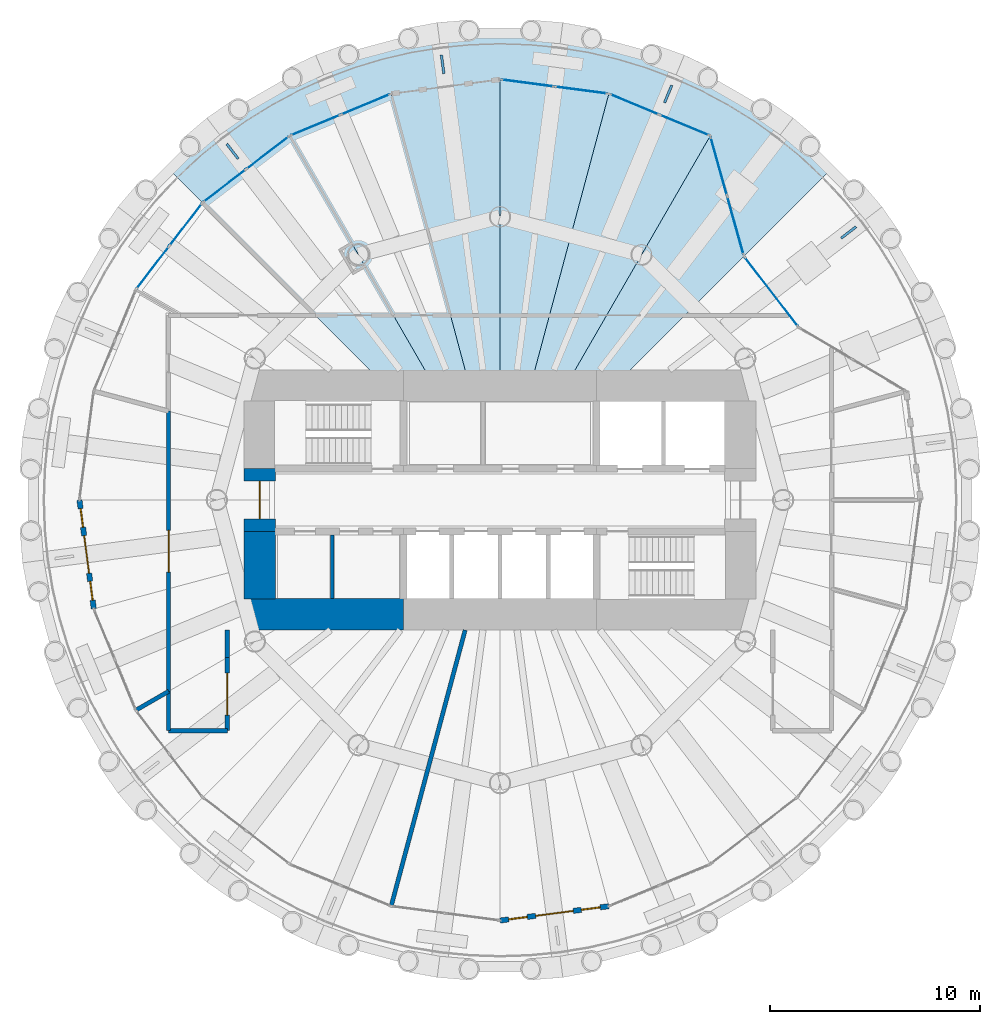
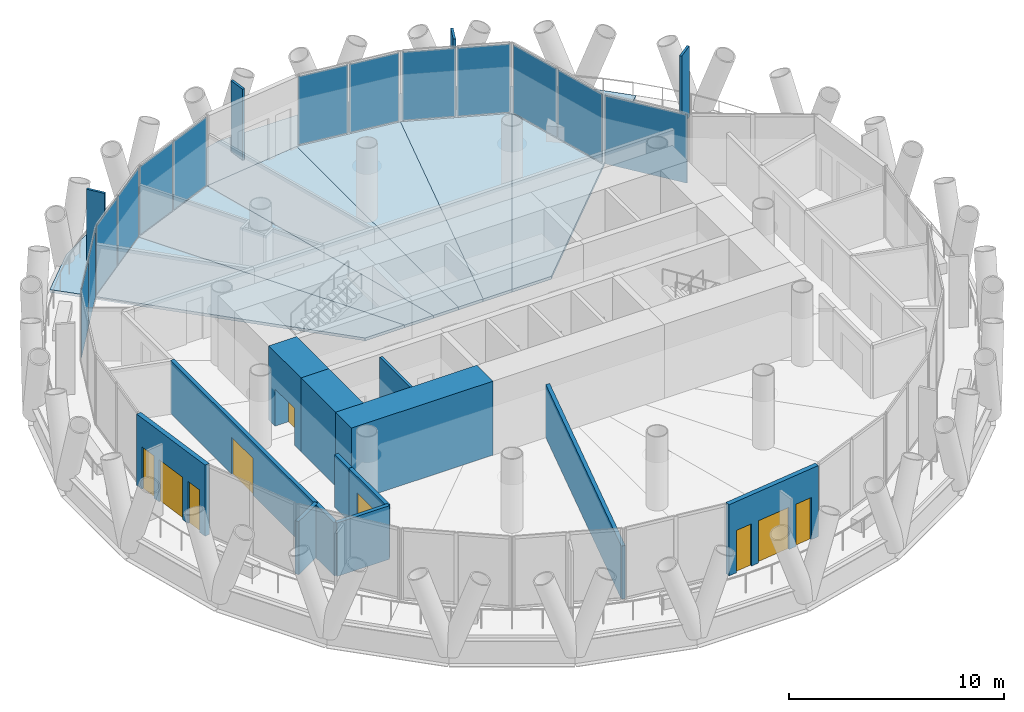
# One storey, part 8 of 14: 17 plates, 13 walls, 7 slabs, 5 doors, 4 windows, 9 openings, 7 elements without a shape of their own.
"""IFC4 building model written with IfcOpenShell, lengths in metres."""

from ifc_helpers import new_model, si_unit, direction, frame, frame_2d, origin, origin_2d, place, context, subcontext, project, spatial, polyline, rectangle, outline, extrude, material, layer, layer_set, type_object, element, fill, aggregate, save


model = new_model("IFC4")

# Units and contexts
model_context = context("Model", 3, precision=1e-05, world=origin(), true_north=direction((0.0, 1.0)))
body_context = subcontext(model_context, "Body", "Model", "MODEL_VIEW")
ifc_project = project(units=[si_unit("LENGTHUNIT", "METRE"), si_unit("AREAUNIT", "SQUARE_METRE"), si_unit("VOLUMEUNIT", "CUBIC_METRE"), si_unit("PLANEANGLEUNIT", "RADIAN"), si_unit("MASSUNIT", "GRAM", prefix="KILO")], contexts=[model_context])

# Site, building, storey
site_placement = place(None, origin())
site = spatial("IfcSite", under=ifc_project, at=site_placement, CompositionType="ELEMENT")
building_placement = place(site_placement, origin())
building = spatial("IfcBuilding", under=site, at=building_placement, Name="Qaws Media Tower", CompositionType="ELEMENT")
storey_placement = place(building_placement, frame((0.0, 0.0, 236.0)))
storey = spatial("IfcBuildingStorey", under=building, at=storey_placement, Name="L54", CompositionType="ELEMENT", Elevation=236.0)

# Slabs
ifc_material_1 = material(Name="Concrete C35/45", Category="concrete")
ifc_layer_1 = layer(ifc_material_1, 0.159912109375)
ifc_layer_set_1 = layer_set([ifc_layer_1], Name="Composite balcony slab 160")
slab_type_1 = type_object("IfcSlabType", Name="Composite balcony slab 160", PredefinedType="FLOOR", material=ifc_layer_set_1)
slab_1_placement = place(storey_placement, frame((0.0, 0.0, -0.159912109375)))
element("IfcSlab", 1, at=slab_1_placement, inside=storey, type_object=slab_type_1, Name="S2 balcony slab L54 R04 to R10, movement joints on R04 and R10", PredefinedType="FLOOR", context=body_context, shape_type="SweptSolid", body=[
    extrude(outline(polyline([(46.333251953125, 67.810791015625), (51.40869140625, 70.7412109375), (57.069580078125, 72.2578125), (62.930419921875, 72.2578125), (68.59130859375, 70.7412109375), (73.666748046875, 67.810791015625), (75.73876953125, 65.73876953125), (71.6318359375, 61.6318359375), (70.02490234375, 67.36376953125), (65.189208984375, 69.36669921875), (60.0, 70.050048828125), (54.810791015625, 69.36669921875), (49.97509765625, 67.36376953125), (45.822509765625, 64.177490234375), (44.26123046875, 65.73876953125), (46.333251953125, 67.810791015625)])), origin(), (0.0, 0.0, 1.0), 0.159912109375),
])
ifc_material_2 = material(Name="Concrete C35/45", Category="concrete")
ifc_layer_2 = layer(ifc_material_2, 0.159912109375)
ifc_layer_set_2 = layer_set([ifc_layer_2], Name="Composite floor slab 160")
slab_type_2 = type_object("IfcSlabType", Name="Composite floor slab 160", PredefinedType="FLOOR", material=ifc_layer_set_2)
slab_2_placement = place(storey_placement, frame((0.0, 0.0, -0.159912109375)))
element("IfcSlab", 2, at=slab_2_placement, inside=storey, type_object=slab_type_2, Name="S1 floor panel L54 on R04+7.5", PredefinedType="FLOOR", context=body_context, shape_type="SweptSolid", body=[
    extrude(outline(polyline([(70.02490234375, 67.36376953125), (71.6318359375, 61.6318359375), (65.0, 55.0), (62.88671875, 55.0), (70.02490234375, 67.36376953125)])), origin(), (0.0, 0.0, 1.0), 0.159912109375),
])
slab_3_placement = place(storey_placement, frame((0.0, 0.0, -0.159912109375)))
element("IfcSlab", 3, at=slab_3_placement, inside=storey, type_object=slab_type_2, Name="S1 floor panel L54 on R05+7.5", PredefinedType="FLOOR", context=body_context, shape_type="SweptSolid", body=[
    extrude(outline(polyline([(70.02490234375, 67.36376953125), (62.88671875, 55.0), (61.339599609375, 55.0), (65.189208984375, 69.36669921875), (70.02490234375, 67.36376953125)])), origin(), (0.0, 0.0, 1.0), 0.159912109375),
])
slab_4_placement = place(storey_placement, frame((0.0, 0.0, -0.159912109375)))
element("IfcSlab", 4, at=slab_4_placement, inside=storey, type_object=slab_type_2, Name="S1 floor panel L54 on R06+7.5", PredefinedType="FLOOR", context=body_context, shape_type="SweptSolid", body=[
    extrude(outline(polyline([(65.189208984375, 69.36669921875), (61.339599609375, 55.0), (60.0, 55.0), (60.0, 70.050048828125), (65.189208984375, 69.36669921875)])), origin(), (0.0, 0.0, 1.0), 0.159912109375),
])
slab_5_placement = place(storey_placement, frame((0.0, 0.0, -0.159912109375)))
element("IfcSlab", 5, at=slab_5_placement, inside=storey, type_object=slab_type_2, Name="S1 floor panel L54 on R07+7.5", PredefinedType="FLOOR", context=body_context, shape_type="SweptSolid", body=[
    extrude(outline(polyline([(54.810791015625, 69.36669921875), (60.0, 70.050048828125), (60.0, 55.0), (58.660400390625, 55.0), (54.810791015625, 69.36669921875)])), origin(), (0.0, 0.0, 1.0), 0.159912109375),
])
slab_6_placement = place(storey_placement, frame((0.0, 0.0, -0.159912109375)))
element("IfcSlab", 6, at=slab_6_placement, inside=storey, type_object=slab_type_2, Name="S1 floor panel L54 on R08+7.5", PredefinedType="FLOOR", context=body_context, shape_type="SweptSolid", body=[
    extrude(outline(polyline([(54.810791015625, 69.36669921875), (58.660400390625, 55.0), (57.11328125, 55.0), (49.97509765625, 67.36376953125), (54.810791015625, 69.36669921875)])), origin(), (0.0, 0.0, 1.0), 0.159912109375),
])
slab_7_placement = place(storey_placement, frame((0.0, 0.0, -0.159912109375)))
element("IfcSlab", 7, at=slab_7_placement, inside=storey, type_object=slab_type_2, Name="S1 floor panel L54 on R09+7.5", PredefinedType="FLOOR", context=body_context, shape_type="SweptSolid", body=[
    extrude(outline(polyline([(45.822509765625, 64.177490234375), (49.97509765625, 67.36376953125), (57.11328125, 55.0), (55.0, 55.0), (45.822509765625, 64.177490234375)])), origin(), (0.0, 0.0, 1.0), 0.159912109375),
])

# Curtain wall, plate
ifc_material_3 = material(Name="Aluminium and clear glass", Category="aluminium")
curtain_wall_type_1 = type_object("IfcCurtainWallType", Name="Loggia curtain wall CW-G", PredefinedType="NOTDEFINED", material=ifc_material_3)
curtain_wall_1_placement = place(storey_placement, origin())
curtain_wall_1 = element("IfcCurtainWall", 8, at=curtain_wall_1_placement, inside=storey, type_object=curtain_wall_type_1, Name="CWG curtain wall L54-03", PredefinedType="NOTDEFINED")
ifc_material_4 = material(Name="Clear laminated double glazing", Category="glass")
ifc_layer_3 = layer(ifc_material_4, 0.031982421875)
ifc_layer_set_3 = layer_set([ifc_layer_3], Name="Curtain wall glass unit 32")
plate_type_1 = type_object("IfcPlateType", Name="Curtain wall glass unit 32", PredefinedType="CURTAIN_PANEL", material=ifc_layer_set_3)
plate_1_placement = place(storey_placement, frame((72.93896484375, 59.928466796875, 0.080078125), z_axis=(0.0, 0.0, 1.0), x_axis=(-0.608761328371, 0.793353417513, 0.0)))
plate_1 = element("IfcPlate", 9, at=plate_1_placement, type_object=plate_type_1, Name="CWG panel 1.1", PredefinedType="CURTAIN_PANEL", context=body_context, shape_type="SweptSolid", body=[
    extrude(rectangle(XDim=4.13427734375, YDim=0.031982421875, at=origin_2d()), origin(), (0.0, 0.0, 1.0), 3.8798828125),
])
aggregate(curtain_wall_1, [plate_1])

# Curtain wall, plates
curtain_wall_2_placement = place(storey_placement, origin())
curtain_wall_2 = element("IfcCurtainWall", 10, at=curtain_wall_2_placement, inside=storey, type_object=curtain_wall_type_1, Name="CWG curtain wall L54-04", PredefinedType="NOTDEFINED")
plate_2_placement = place(storey_placement, frame((71.224853515625, 63.084228515625, 0.080078125), z_axis=(0.0, 0.0, 1.0), x_axis=(-0.269937476483, 0.962877852476, 0.0)))
plate_2 = element("IfcPlate", 11, at=plate_2_placement, type_object=plate_type_1, Name="CWG panel 1.1", PredefinedType="CURTAIN_PANEL", context=body_context, shape_type="SweptSolid", body=[
    extrude(rectangle(XDim=2.8564453125, YDim=0.031982421875, at=origin_2d()), origin(), (0.0, 0.0, 1.0), 3.8798828125),
])
plate_3_placement = place(storey_placement, frame((70.43212890625, 65.91162109375, 0.080078125), z_axis=(0.0, 0.0, 1.0), x_axis=(-0.269937476483, 0.962877852476, 0.0)))
plate_3 = element("IfcPlate", 12, at=plate_3_placement, type_object=plate_type_1, Name="CWG panel 2.1", PredefinedType="CURTAIN_PANEL", context=body_context, shape_type="SweptSolid", body=[
    extrude(rectangle(XDim=2.8564453125, YDim=0.031982421875, at=origin_2d()), origin(), (0.0, 0.0, 1.0), 3.8798828125),
])
aggregate(curtain_wall_2, [plate_2, plate_3])

ifc_material_5 = material(Name="Aluminium and clear glass", Category="aluminium")
curtain_wall_type_2 = type_object("IfcCurtainWallType", Name="Unitised curtain wall CW-C", PredefinedType="NOTDEFINED", material=ifc_material_5)
curtain_wall_3_placement = place(storey_placement, origin())
curtain_wall_3 = element("IfcCurtainWall", 13, at=curtain_wall_3_placement, inside=storey, type_object=curtain_wall_type_2, Name="CWC curtain wall L54-05", PredefinedType="NOTDEFINED")
plate_4_placement = place(storey_placement, frame((68.797607421875, 67.872314453125, 0.080078125), z_axis=(0.0, 0.0, 1.0), x_axis=(-0.923879492717, 0.382683528436, 0.0)))
plate_4 = element("IfcPlate", 14, at=plate_4_placement, type_object=plate_type_1, Name="CWC panel 1.1", PredefinedType="CURTAIN_PANEL", context=body_context, shape_type="SweptSolid", body=[
    extrude(rectangle(XDim=2.4970703125, YDim=0.031982421875, at=origin_2d()), origin(), (0.0, 0.0, 1.0), 3.8798828125),
])
plate_5_placement = place(storey_placement, frame((66.416748046875, 68.8583984375, 0.080078125), z_axis=(0.0, 0.0, 1.0), x_axis=(-0.923879492717, 0.382683528436, 0.0)))
plate_5 = element("IfcPlate", 15, at=plate_5_placement, type_object=plate_type_1, Name="CWC panel 2.1", PredefinedType="CURTAIN_PANEL", context=body_context, shape_type="SweptSolid", body=[
    extrude(rectangle(XDim=2.4970703125, YDim=0.031982421875, at=origin_2d()), origin(), (0.0, 0.0, 1.0), 3.8798828125),
])
aggregate(curtain_wall_3, [plate_4, plate_5])

curtain_wall_4_placement = place(storey_placement, origin())
curtain_wall_4 = element("IfcCurtainWall", 16, at=curtain_wall_4_placement, inside=storey, type_object=curtain_wall_type_2, Name="CWC curtain wall L54-06", PredefinedType="NOTDEFINED")
plate_6_placement = place(storey_placement, frame((63.8720703125, 69.540283203125, 0.080078125), z_axis=(0.0, 0.0, 1.0), x_axis=(-0.99144486637, 0.130526154272, 0.0)))
plate_6 = element("IfcPlate", 17, at=plate_6_placement, type_object=plate_type_1, Name="CWC panel 1.1", PredefinedType="CURTAIN_PANEL", context=body_context, shape_type="SweptSolid", body=[
    extrude(rectangle(XDim=2.4970703125, YDim=0.031982421875, at=origin_2d()), origin(), (0.0, 0.0, 1.0), 3.8798828125),
])
plate_7_placement = place(storey_placement, frame((61.317138671875, 69.876708984375, 0.080078125), z_axis=(0.0, 0.0, 1.0), x_axis=(-0.99144486637, 0.130526154272, 0.0)))
plate_7 = element("IfcPlate", 18, at=plate_7_placement, type_object=plate_type_1, Name="CWC panel 2.1", PredefinedType="CURTAIN_PANEL", context=body_context, shape_type="SweptSolid", body=[
    extrude(rectangle(XDim=2.4970703125, YDim=0.031982421875, at=origin_2d()), origin(), (0.0, 0.0, 1.0), 3.8798828125),
])
aggregate(curtain_wall_4, [plate_6, plate_7])

curtain_wall_5_placement = place(storey_placement, origin())
curtain_wall_5 = element("IfcCurtainWall", 19, at=curtain_wall_5_placement, inside=storey, type_object=curtain_wall_type_2, Name="CWC curtain wall L54-08", PredefinedType="NOTDEFINED")
plate_8_placement = place(storey_placement, frame((53.583251953125, 68.8583984375, 0.080078125), z_axis=(0.0, 0.0, 1.0), x_axis=(-0.923879492717, -0.382683528436, 0.0)))
plate_8 = element("IfcPlate", 20, at=plate_8_placement, type_object=plate_type_1, Name="CWC panel 1.1", PredefinedType="CURTAIN_PANEL", context=body_context, shape_type="SweptSolid", body=[
    extrude(rectangle(XDim=2.4970703125, YDim=0.031982421875, at=origin_2d()), origin(), (0.0, 0.0, 1.0), 3.8798828125),
])
plate_9_placement = place(storey_placement, frame((51.202392578125, 67.872314453125, 0.080078125), z_axis=(0.0, 0.0, 1.0), x_axis=(-0.923879492717, -0.382683528436, 0.0)))
plate_9 = element("IfcPlate", 21, at=plate_9_placement, type_object=plate_type_1, Name="CWC panel 2.1", PredefinedType="CURTAIN_PANEL", context=body_context, shape_type="SweptSolid", body=[
    extrude(rectangle(XDim=2.4970703125, YDim=0.031982421875, at=origin_2d()), origin(), (0.0, 0.0, 1.0), 3.8798828125),
])
aggregate(curtain_wall_5, [plate_8, plate_9])

curtain_wall_6_placement = place(storey_placement, origin())
curtain_wall_6 = element("IfcCurtainWall", 22, at=curtain_wall_6_placement, inside=storey, type_object=curtain_wall_type_2, Name="CWC curtain wall L54-09", PredefinedType="NOTDEFINED")
plate_10_placement = place(storey_placement, frame((48.9208984375, 66.55517578125, 0.080078125), z_axis=(0.0, 0.0, 1.0), x_axis=(-0.793353378275, -0.608761379507, 0.0)))
plate_10 = element("IfcPlate", 23, at=plate_10_placement, type_object=plate_type_1, Name="CWC panel 1.1", PredefinedType="CURTAIN_PANEL", context=body_context, shape_type="SweptSolid", body=[
    extrude(rectangle(XDim=2.4970703125, YDim=0.031982421875, at=origin_2d()), origin(), (0.0, 0.0, 1.0), 3.8798828125),
])
plate_11_placement = place(storey_placement, frame((46.87646484375, 64.986328125, 0.080078125), z_axis=(0.0, 0.0, 1.0), x_axis=(-0.793353378275, -0.608761379507, 0.0)))
plate_11 = element("IfcPlate", 24, at=plate_11_placement, type_object=plate_type_1, Name="CWC panel 2.1", PredefinedType="CURTAIN_PANEL", context=body_context, shape_type="SweptSolid", body=[
    extrude(rectangle(XDim=2.4970703125, YDim=0.031982421875, at=origin_2d()), origin(), (0.0, 0.0, 1.0), 3.8798828125),
])
aggregate(curtain_wall_6, [plate_10, plate_11])

curtain_wall_7_placement = place(storey_placement, origin())
curtain_wall_7 = element("IfcCurtainWall", 25, at=curtain_wall_7_placement, inside=storey, type_object=curtain_wall_type_2, Name="CWC curtain wall L54-10", PredefinedType="NOTDEFINED")
plate_12_placement = place(storey_placement, frame((45.013671875, 63.12353515625, 0.080078125), z_axis=(0.0, 0.0, 1.0), x_axis=(-0.608761379507, -0.793353378275, 0.0)))
plate_12 = element("IfcPlate", 26, at=plate_12_placement, type_object=plate_type_1, Name="CWC panel 1.1", PredefinedType="CURTAIN_PANEL", context=body_context, shape_type="SweptSolid", body=[
    extrude(rectangle(XDim=2.4970703125, YDim=0.031982421875, at=origin_2d()), origin(), (0.0, 0.0, 1.0), 3.8798828125),
])
plate_13_placement = place(storey_placement, frame((43.44482421875, 61.0791015625, 0.080078125), z_axis=(0.0, 0.0, 1.0), x_axis=(-0.608761379507, -0.793353378275, 0.0)))
plate_13 = element("IfcPlate", 27, at=plate_13_placement, type_object=plate_type_1, Name="CWC panel 2.1", PredefinedType="CURTAIN_PANEL", context=body_context, shape_type="SweptSolid", body=[
    extrude(rectangle(XDim=2.4970703125, YDim=0.031982421875, at=origin_2d()), origin(), (0.0, 0.0, 1.0), 3.8798828125),
])
aggregate(curtain_wall_7, [plate_12, plate_13])

# Plates
ifc_material_6 = material(Name="Precast concrete screen fin", Category="concrete")
ifc_layer_4 = layer(ifc_material_6, 0.1201171875)
ifc_layer_set_4 = layer_set([ifc_layer_4], Name="Screen fin 120x900")
plate_type_2 = type_object("IfcPlateType", Name="Screen fin 120x900", PredefinedType="USERDEFINED", material=ifc_layer_set_4)
for number, where, z_axis, x_axis, name in (
    (28, (76.620849609375, 62.753662109375, 0.0), (0.0, 0.0, 1.0), (0.793353340291, 0.608761429009, 0.0), "SCR1 screen fin L54-02"),
    (29, (68.017333984375, 69.355224609375, 0.0), (0.0, 0.0, 1.0), (0.382683432365, 0.923879532511, 0.0), "SCR1 screen fin L54-03"),
    (30, (57.265380859375, 70.770751953125, 0.0), (0.0, 0.0, 1.0), (-0.13052619222, 0.991444861374, 0.0), "SCR1 screen fin L54-04"),
    (31, (47.246337890625, 66.620849609375, 0.0), (0.0, 0.0, 1.0), (-0.608761429009, 0.793353340291, 0.0), "SCR1 screen fin L54-05"),
):
    element("IfcPlate", number, at=place(storey_placement, frame(where, z_axis=z_axis, x_axis=x_axis)), inside=storey, type_object=plate_type_2, Name=name, ObjectType="SCREEN", PredefinedType="USERDEFINED", context=body_context, shape_type="SweptSolid", body=[
        extrude(rectangle(XDim=0.89990234375, YDim=0.1201171875, at=origin_2d()), origin(), (0.0, 0.0, 1.0), 4.0400390625),
    ])

# Wall, openings, door, windows
ifc_material_7 = material(Name="Precast concrete, exposed finish", Category="concrete")
ifc_layer_5 = layer(ifc_material_7, 0.25)
ifc_layer_set_5 = layer_set([ifc_layer_5], Name="Balcony door wall 250")
wall_type_1 = type_object("IfcWallType", Name="Balcony door wall 250", PredefinedType="SOLIDWALL", material=ifc_layer_set_5)
wall_1_placement = place(storey_placement, frame((39.949951171875, 50.0, 0.0), z_axis=(0.0, 0.0, 1.0), x_axis=(0.130559487011, -0.991440477463, 0.0)))
wall_1 = element("IfcWall", 32, at=wall_1_placement, inside=storey, type_object=wall_type_1, Name="W252 EW1 balcony door wall L54-13", PredefinedType="SOLIDWALL", context=body_context, shape_type="SweptSolid", body=[
    extrude(rectangle(XDim=5.234130859375, YDim=0.25, at=frame_2d((2.6171875, 0.0))), origin(), (0.0, 0.0, 1.0), 4.0400390625),
])
opening_1_placement = place(wall_1_placement, frame((1.717041015625, 0.0, 0.0)))
opening_1 = element("IfcOpeningElement", 33, at=opening_1_placement, cuts=wall_1, Name="Opening D7", PredefinedType="OPENING", context=body_context, shape_type="SweptSolid", body=[
    extrude(rectangle(XDim=1.800048828125, YDim=2.39990234375, at=frame_2d((0.89990234375, 1.199951171875))), frame((0.0, 0.135009765625, 0.0), z_axis=(0.0, -1.0, 0.0), x_axis=(1.0, 0.0, 0.0)), (0.0, 0.0, 1.0), 0.27001953125),
])
opening_2_placement = place(wall_1_placement, frame((0.4169921875, 0.0, 0.0)))
opening_2 = element("IfcOpeningElement", 34, at=opening_2_placement, cuts=wall_1, Name="Opening W7", PredefinedType="OPENING", context=body_context, shape_type="SweptSolid", body=[
    extrude(rectangle(XDim=0.89990234375, YDim=2.39990234375, at=frame_2d((0.449951171875, 1.199951171875))), frame((0.0, 0.135009765625, 0.0), z_axis=(0.0, -1.0, 0.0), x_axis=(1.0, 0.0, 0.0)), (0.0, 0.0, 1.0), 0.27001953125),
])
opening_3_placement = place(wall_1_placement, frame((3.9169921875, 0.0, 0.0)))
opening_3 = element("IfcOpeningElement", 35, at=opening_3_placement, cuts=wall_1, Name="Opening W7", PredefinedType="OPENING", context=body_context, shape_type="SweptSolid", body=[
    extrude(rectangle(XDim=0.89990234375, YDim=2.39990234375, at=frame_2d((0.449951171875, 1.199951171875))), frame((0.0, 0.135009765625, 0.0), z_axis=(0.0, -1.0, 0.0), x_axis=(1.0, 0.0, 0.0)), (0.0, 0.0, 1.0), 0.27001953125),
])
ifc_material_8 = material(Name="Aluminium and clear glass", Category="aluminium")
door_type_1 = type_object("IfcDoorType", Name="Balcony door pair 1800", OperationType="DOUBLE_DOOR_SLIDING", PredefinedType="DOOR", material=ifc_material_8)
door_1_placement = place(opening_1_placement, origin())
door_1 = element("IfcDoor", 36, at=door_1_placement, inside=storey, type_object=door_type_1, Name="D7 balcony door L54-13 in wall W252", OperationType="DOUBLE_DOOR_SLIDING", OverallHeight=2.39990234375, OverallWidth=1.800048828125, PredefinedType="DOOR", context=body_context, shape_type="SweptSolid", body=[
    extrude(rectangle(XDim=1.800048828125, YDim=2.39990234375, at=frame_2d((0.89990234375, 1.199951171875))), frame((0.0, 0.02490234375, 0.0), z_axis=(0.0, -1.0, 0.0), x_axis=(1.0, 0.0, 0.0)), (0.0, 0.0, 1.0), 0.050048828125),
])
fill(opening_1, door_1)
ifc_material_9 = material(Name="Aluminium and clear glass", Category="aluminium")
window_type = type_object("IfcWindowType", Name="Balcony side window 900", PartitioningType="SINGLE_PANEL", PredefinedType="WINDOW", material=ifc_material_9)
window_1_placement = place(opening_2_placement, origin())
window_1 = element("IfcWindow", 37, at=window_1_placement, inside=storey, type_object=window_type, Name="W1 balcony side light L54-13L", OverallHeight=2.39990234375, OverallWidth=0.89990234375, PartitioningType="SINGLE_PANEL", PredefinedType="WINDOW", context=body_context, shape_type="SweptSolid", body=[
    extrude(rectangle(XDim=0.89990234375, YDim=2.39990234375, at=frame_2d((0.449951171875, 1.199951171875))), frame((0.0, 0.030029296875, 0.0), z_axis=(0.0, -1.0, 0.0), x_axis=(1.0, 0.0, 0.0)), (0.0, 0.0, 1.0), 0.06005859375),
])
fill(opening_2, window_1)
window_2_placement = place(opening_3_placement, origin())
window_2 = element("IfcWindow", 38, at=window_2_placement, inside=storey, type_object=window_type, Name="W1 balcony side light L54-13R", OverallHeight=2.39990234375, OverallWidth=0.89990234375, PartitioningType="SINGLE_PANEL", PredefinedType="WINDOW", context=body_context, shape_type="SweptSolid", body=[
    extrude(rectangle(XDim=0.89990234375, YDim=2.39990234375, at=frame_2d((0.449951171875, 1.199951171875))), frame((0.0, 0.030029296875, 0.0), z_axis=(0.0, -1.0, 0.0), x_axis=(1.0, 0.0, 0.0)), (0.0, 0.0, 1.0), 0.06005859375),
])
fill(opening_3, window_2)

wall_2_placement = place(storey_placement, frame((60.0, 29.949951171875, 0.0), z_axis=(0.0, 0.0, 1.0), x_axis=(0.991440477463, 0.130559487011, 0.0)))
wall_2 = element("IfcWall", 39, at=wall_2_placement, inside=storey, type_object=wall_type_1, Name="W253 EW1 balcony door wall L54-19", PredefinedType="SOLIDWALL", context=body_context, shape_type="SweptSolid", body=[
    extrude(rectangle(XDim=5.234130859375, YDim=0.25, at=frame_2d((2.6171875, 0.0))), origin(), (0.0, 0.0, 1.0), 4.0400390625),
])
opening_4_placement = place(wall_2_placement, frame((1.717041015625, 0.0, 0.0)))
opening_4 = element("IfcOpeningElement", 40, at=opening_4_placement, cuts=wall_2, Name="Opening D7", PredefinedType="OPENING", context=body_context, shape_type="SweptSolid", body=[
    extrude(rectangle(XDim=1.800048828125, YDim=2.39990234375, at=frame_2d((0.89990234375, 1.199951171875))), frame((0.0, 0.135009765625, 0.0), z_axis=(0.0, -1.0, 0.0), x_axis=(1.0, 0.0, 0.0)), (0.0, 0.0, 1.0), 0.27001953125),
])
opening_5_placement = place(wall_2_placement, frame((0.4169921875, 0.0, 0.0)))
opening_5 = element("IfcOpeningElement", 41, at=opening_5_placement, cuts=wall_2, Name="Opening W7", PredefinedType="OPENING", context=body_context, shape_type="SweptSolid", body=[
    extrude(rectangle(XDim=0.89990234375, YDim=2.39990234375, at=frame_2d((0.449951171875, 1.199951171875))), frame((0.0, 0.135009765625, 0.0), z_axis=(0.0, -1.0, 0.0), x_axis=(1.0, 0.0, 0.0)), (0.0, 0.0, 1.0), 0.27001953125),
])
opening_6_placement = place(wall_2_placement, frame((3.9169921875, 0.0, 0.0)))
opening_6 = element("IfcOpeningElement", 42, at=opening_6_placement, cuts=wall_2, Name="Opening W7", PredefinedType="OPENING", context=body_context, shape_type="SweptSolid", body=[
    extrude(rectangle(XDim=0.89990234375, YDim=2.39990234375, at=frame_2d((0.449951171875, 1.199951171875))), frame((0.0, 0.135009765625, 0.0), z_axis=(0.0, -1.0, 0.0), x_axis=(1.0, 0.0, 0.0)), (0.0, 0.0, 1.0), 0.27001953125),
])
door_2_placement = place(opening_4_placement, origin())
door_2 = element("IfcDoor", 43, at=door_2_placement, inside=storey, type_object=door_type_1, Name="D7 balcony door L54-19 in wall W253", OperationType="DOUBLE_DOOR_SLIDING", OverallHeight=2.39990234375, OverallWidth=1.800048828125, PredefinedType="DOOR", context=body_context, shape_type="SweptSolid", body=[
    extrude(rectangle(XDim=1.800048828125, YDim=2.39990234375, at=frame_2d((0.89990234375, 1.199951171875))), frame((0.0, 0.02490234375, 0.0), z_axis=(0.0, -1.0, 0.0), x_axis=(1.0, 0.0, 0.0)), (0.0, 0.0, 1.0), 0.050048828125),
])
fill(opening_4, door_2)
window_3_placement = place(opening_5_placement, origin())
window_3 = element("IfcWindow", 44, at=window_3_placement, inside=storey, type_object=window_type, Name="W1 balcony side light L54-19L", OverallHeight=2.39990234375, OverallWidth=0.89990234375, PartitioningType="SINGLE_PANEL", PredefinedType="WINDOW", context=body_context, shape_type="SweptSolid", body=[
    extrude(rectangle(XDim=0.89990234375, YDim=2.39990234375, at=frame_2d((0.449951171875, 1.199951171875))), frame((0.0, 0.030029296875, 0.0), z_axis=(0.0, -1.0, 0.0), x_axis=(1.0, 0.0, 0.0)), (0.0, 0.0, 1.0), 0.06005859375),
])
fill(opening_5, window_3)
window_4_placement = place(opening_6_placement, origin())
window_4 = element("IfcWindow", 45, at=window_4_placement, inside=storey, type_object=window_type, Name="W1 balcony side light L54-19R", OverallHeight=2.39990234375, OverallWidth=0.89990234375, PartitioningType="SINGLE_PANEL", PredefinedType="WINDOW", context=body_context, shape_type="SweptSolid", body=[
    extrude(rectangle(XDim=0.89990234375, YDim=2.39990234375, at=frame_2d((0.449951171875, 1.199951171875))), frame((0.0, 0.030029296875, 0.0), z_axis=(0.0, -1.0, 0.0), x_axis=(1.0, 0.0, 0.0)), (0.0, 0.0, 1.0), 0.06005859375),
])
fill(opening_6, window_4)

# Walls
ifc_material_10 = material(Name="Concrete C60/75", Category="concrete")
ifc_layer_6 = layer(ifc_material_10, 1.5)
ifc_layer_set_6 = layer_set([ifc_layer_6], Name="Core wall 1500")
wall_type_2 = type_object("IfcWallType", Name="Core wall 1500", PredefinedType="SHEAR", material=ifc_layer_set_6)
wall_3_placement = place(storey_placement, frame((47.800048828125, 44.550048828125, 0.0), z_axis=(0.0, 0.0, 1.0), x_axis=(1.0, 0.0, 0.0)))
element("IfcWall", 46, at=wall_3_placement, inside=storey, type_object=wall_type_2, Name="W376 SW13 core wall SW L54", PredefinedType="SHEAR", context=body_context, shape_type="SweptSolid", body=[
    extrude(rectangle(XDim=7.599853515625, YDim=1.5, at=frame_2d((3.7998046875, 0.0))), origin(), (0.0, 0.0, 1.0), 4.199951171875),
])
wall_4_placement = place(storey_placement, frame((48.550048828125, 45.280029296875, 0.0), z_axis=(0.0, 0.0, 1.0), x_axis=(0.0, 1.0, 0.0)))
element("IfcWall", 47, at=wall_4_placement, inside=storey, type_object=wall_type_2, Name="W378 SW13 core wall WS L54", PredefinedType="SHEAR", context=body_context, shape_type="SweptSolid", body=[
    extrude(rectangle(XDim=3.219970703125, YDim=1.5, at=frame_2d((1.60986328125, 0.0))), origin(), (0.0, 0.0, 1.0), 4.199951171875),
])

# Wall, opening, door
wall_5_placement = place(storey_placement, frame((48.550048828125, 48.5, 0.0), z_axis=(0.0, 0.0, 1.0), x_axis=(0.0, 1.0, 0.0)))
wall_5 = element("IfcWall", 48, at=wall_5_placement, inside=storey, type_object=wall_type_2, Name="W379 SW13 core wall W L54", PredefinedType="SHEAR", context=body_context, shape_type="SweptSolid", body=[
    extrude(rectangle(XDim=3.0, YDim=1.5, at=frame_2d((1.5, 0.0))), origin(), (0.0, 0.0, 1.0), 4.199951171875),
])
opening_7_placement = place(wall_5_placement, frame((0.60009765625, 0.0, 0.0)))
opening_7 = element("IfcOpeningElement", 49, at=opening_7_placement, cuts=wall_5, Name="Opening D2", PredefinedType="OPENING", context=body_context, shape_type="SweptSolid", body=[
    extrude(rectangle(XDim=1.800048828125, YDim=2.10009765625, at=frame_2d((0.89990234375, 1.050048828125))), frame((0.0, 0.760009765625, 0.0), z_axis=(0.0, -1.0, 0.0), x_axis=(1.0, 0.0, 0.0)), (0.0, 0.0, 1.0), 1.52001953125),
])
ifc_material_11 = material(Name="Steel and glass, fire rated", Category="steel")
door_type_2 = type_object("IfcDoorType", Name="Lobby door pair 1800 FD60", OperationType="DOUBLE_DOOR_DOUBLE_SWING", PredefinedType="DOOR", material=ifc_material_11)
door_3_placement = place(opening_7_placement, origin())
door_3 = element("IfcDoor", 50, at=door_3_placement, inside=storey, type_object=door_type_2, Name="D2 core lobby door W L54 in wall W379", OperationType="DOUBLE_DOOR_DOUBLE_SWING", OverallHeight=2.10009765625, OverallWidth=1.800048828125, PredefinedType="DOOR", context=body_context, shape_type="SweptSolid", body=[
    extrude(rectangle(XDim=1.800048828125, YDim=2.10009765625, at=frame_2d((0.89990234375, 1.050048828125))), frame((0.0, 0.02490234375, 0.0), z_axis=(0.0, -1.0, 0.0), x_axis=(1.0, 0.0, 0.0)), (0.0, 0.0, 1.0), 0.050048828125),
])
fill(opening_7, door_3)

# Wall
ifc_material_12 = material(Name="Gypsum board on galvanised metal studs, acoustic double stud, deflection head", Category="gypsum")
ifc_layer_7 = layer(ifc_material_12, 0.199951171875)
ifc_layer_set_7 = layer_set([ifc_layer_7], Name="Room partition 200")
wall_type_3 = type_object("IfcWallType", Name="Room partition 200", PredefinedType="PARTITIONING", material=ifc_layer_set_7)
wall_6_placement = place(storey_placement, frame((47.0, 43.800048828125, 0.0), z_axis=(0.0, 0.0, 1.0), x_axis=(0.0, -1.0, 0.0)))
element("IfcWall", 51, at=wall_6_placement, inside=storey, type_object=wall_type_3, Name="W1600 IW3 partition L54", PredefinedType="PARTITIONING", context=body_context, shape_type="SweptSolid", body=[
    extrude(rectangle(XDim=1.3056640625, YDim=0.199951171875, at=frame_2d((0.65283203125, 0.0))), origin(), (0.0, 0.0, 1.0), 3.02001953125),
])

# Wall, opening, door
wall_7_placement = place(storey_placement, frame((47.0, 42.494384765625, 0.0), z_axis=(0.0, 0.0, 1.0), x_axis=(0.0, -1.0, 0.0)))
wall_7 = element("IfcWall", 52, at=wall_7_placement, inside=storey, type_object=wall_type_3, Name="W1599 IW3 partition L54", PredefinedType="PARTITIONING", context=body_context, shape_type="SweptSolid", body=[
    extrude(rectangle(XDim=3.494384765625, YDim=0.199951171875, at=frame_2d((1.7470703125, 0.0))), origin(), (0.0, 0.0, 1.0), 3.02001953125),
])
opening_8_placement = place(wall_7_placement, frame((0.747314453125, 0.0, 0.0)))
opening_8 = element("IfcOpeningElement", 53, at=opening_8_placement, cuts=wall_7, Name="Opening D6", PredefinedType="OPENING", context=body_context, shape_type="SweptSolid", body=[
    extrude(rectangle(XDim=2.0, YDim=2.10009765625, at=frame_2d((1.0, 1.050048828125))), frame((0.0, 0.10986328125, 0.0), z_axis=(0.0, -1.0, 0.0), x_axis=(1.0, 0.0, 0.0)), (0.0, 0.0, 1.0), 0.219970703125),
])
ifc_material_13 = material(Name="Steel, acoustic, fire rated", Category="steel")
door_type_3 = type_object("IfcDoorType", Name="Room door pair 2000", OperationType="DOUBLE_DOOR_DOUBLE_SWING", PredefinedType="DOOR", material=ifc_material_13)
door_4_placement = place(opening_8_placement, origin())
door_4 = element("IfcDoor", 54, at=door_4_placement, inside=storey, type_object=door_type_3, Name="D6 Tenant office door L54 in wall W1599", OperationType="DOUBLE_DOOR_DOUBLE_SWING", OverallHeight=2.10009765625, OverallWidth=2.0, PredefinedType="DOOR", context=body_context, shape_type="SweptSolid", body=[
    extrude(rectangle(XDim=2.0, YDim=2.10009765625, at=frame_2d((1.0, 1.050048828125))), frame((0.0, 0.02490234375, 0.0), z_axis=(0.0, -1.0, 0.0), x_axis=(1.0, 0.0, 0.0)), (0.0, 0.0, 1.0), 0.050048828125),
])
fill(opening_8, door_4)

# Walls
wall_8_placement = place(storey_placement, frame((47.0, 39.0, 0.0), z_axis=(0.0, 0.0, 1.0), x_axis=(-1.0, 0.0, 0.0)))
element("IfcWall", 55, at=wall_8_placement, inside=storey, type_object=wall_type_3, Name="W1222 IW3 partition L54", PredefinedType="PARTITIONING", context=body_context, shape_type="SweptSolid", body=[
    extrude(rectangle(XDim=2.800048828125, YDim=0.199951171875, at=frame_2d((1.39990234375, 0.0))), origin(), (0.0, 0.0, 1.0), 3.0400390625),
])
wall_9_placement = place(storey_placement, frame((44.199951171875, 39.0, 0.0), z_axis=(0.0, 0.0, 1.0), x_axis=(0.0, 1.0, 0.0)))
element("IfcWall", 56, at=wall_9_placement, inside=storey, type_object=wall_type_3, Name="W1610 IW3 partition L54", PredefinedType="PARTITIONING", context=body_context, shape_type="SweptSolid", body=[
    extrude(rectangle(XDim=1.8779296875, YDim=0.199951171875, at=frame_2d((0.93896484375, 0.0))), origin(), (0.0, 0.0, 1.0), 3.02001953125),
])

# Wall, opening, door
wall_10_placement = place(storey_placement, frame((44.199951171875, 40.8779296875, 0.0), z_axis=(0.0, 0.0, 1.0), x_axis=(0.0, 1.0, 0.0)))
wall_10 = element("IfcWall", 57, at=wall_10_placement, inside=storey, type_object=wall_type_3, Name="W1611 IW3 partition L54", PredefinedType="PARTITIONING", context=body_context, shape_type="SweptSolid", body=[
    extrude(rectangle(XDim=13.355712890625, YDim=0.199951171875, at=frame_2d((6.677734375, 0.0))), origin(), (0.0, 0.0, 1.0), 3.02001953125),
])
opening_9_placement = place(wall_10_placement, frame((5.677978515625, 0.0, 0.0)))
opening_9 = element("IfcOpeningElement", 58, at=opening_9_placement, cuts=wall_10, Name="Opening D6", PredefinedType="OPENING", context=body_context, shape_type="SweptSolid", body=[
    extrude(rectangle(XDim=2.0, YDim=2.10009765625, at=frame_2d((1.0, 1.050048828125))), frame((0.0, 0.10986328125, 0.0), z_axis=(0.0, -1.0, 0.0), x_axis=(1.0, 0.0, 0.0)), (0.0, 0.0, 1.0), 0.219970703125),
])
door_5_placement = place(opening_9_placement, origin())
door_5 = element("IfcDoor", 59, at=door_5_placement, inside=storey, type_object=door_type_3, Name="D6 Tenant office door L54 in wall W1611", OperationType="DOUBLE_DOOR_DOUBLE_SWING", OverallHeight=2.10009765625, OverallWidth=2.0, PredefinedType="DOOR", context=body_context, shape_type="SweptSolid", body=[
    extrude(rectangle(XDim=2.0, YDim=2.10009765625, at=frame_2d((1.0, 1.050048828125))), frame((0.0, 0.02490234375, 0.0), z_axis=(0.0, -1.0, 0.0), x_axis=(1.0, 0.0, 0.0)), (0.0, 0.0, 1.0), 0.050048828125),
])
fill(opening_9, door_5)

# Walls
wall_11_placement = place(storey_placement, frame((44.20361328125, 40.8798828125, 0.0), z_axis=(0.0, 0.0, 1.0), x_axis=(-0.866061540533, -0.499937404092, 0.0)))
element("IfcWall", 60, at=wall_11_placement, inside=storey, type_object=wall_type_3, Name="W1637 IW3 partition L54", PredefinedType="PARTITIONING", context=body_context, shape_type="SweptSolid", body=[
    extrude(rectangle(XDim=1.769775390625, YDim=0.199951171875, at=frame_2d((0.884765625, 0.0))), origin(), (0.0, 0.0, 1.0), 3.02001953125),
])
wall_12_placement = place(storey_placement, frame((58.33837890625, 43.798828125, 0.0), z_axis=(0.0, 0.0, 1.0), x_axis=(-0.258817500069, -0.965926240278, 0.0)))
element("IfcWall", 61, at=wall_12_placement, inside=storey, type_object=wall_type_3, Name="W1640 IW3 partition L54", PredefinedType="PARTITIONING", context=body_context, shape_type="SweptSolid", body=[
    extrude(rectangle(XDim=13.590087890625, YDim=0.199951171875, at=frame_2d((6.794921875, 0.0))), origin(), (0.0, 0.0, 1.0), 3.02001953125),
])
ifc_material_14 = material(Name="Gypsum board on galvanised metal studs, deflection head", Category="gypsum")
ifc_layer_8 = layer(ifc_material_14, 0.14990234375)
ifc_layer_set_8 = layer_set([ifc_layer_8], Name="WC partition 150")
wall_type_4 = type_object("IfcWallType", Name="WC partition 150", PredefinedType="PARTITIONING", material=ifc_layer_set_8)
wall_13_placement = place(storey_placement, frame((52.0, 45.300048828125, 0.0), z_axis=(0.0, 0.0, 1.0), x_axis=(0.0, 1.0, 0.0)))
element("IfcWall", 62, at=wall_13_placement, inside=storey, type_object=wall_type_4, Name="W1925 IW2 toilet partition 1 L54", PredefinedType="PARTITIONING", context=body_context, shape_type="SweptSolid", body=[
    extrude(rectangle(XDim=3.02490234375, YDim=0.14990234375, at=frame_2d((1.512451171875, 0.0))), origin(), (0.0, 0.0, 1.0), 4.0400390625),
])

save(model, "model.ifc")
